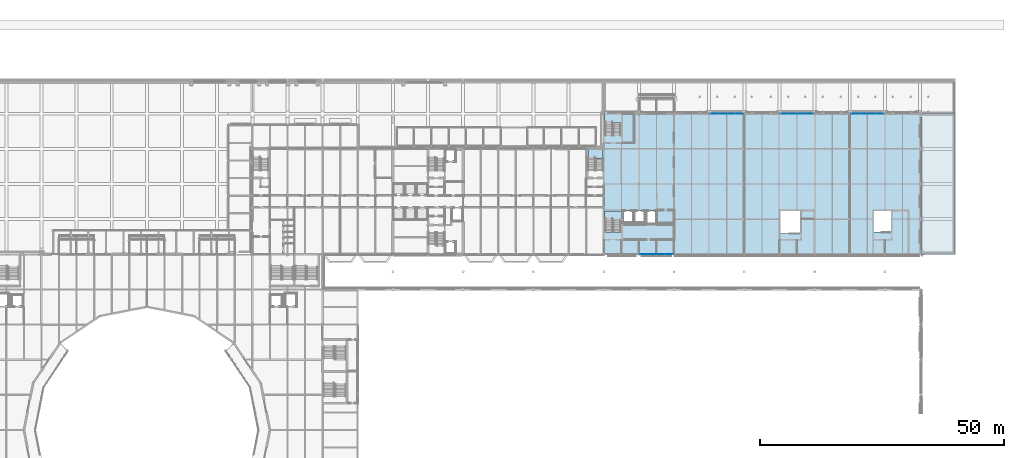
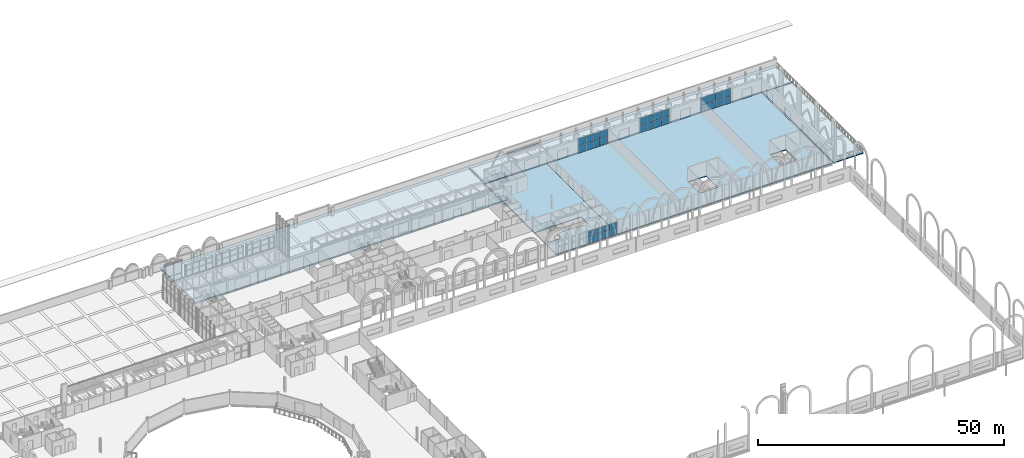
# One storey, part 67 of 143: 32 plates, 8 slabs, 7 elements without a shape of their own.
"""IFC4 building model written with IfcOpenShell, lengths in metres."""

from ifc_helpers import new_model, si_unit, direction, frame, origin, origin_2d, place, context, subcontext, project, spatial, polyline, rectangle, outline, extrude, material, layer, layer_set, type_object, element, aggregate, save


model = new_model("IFC4")

# Units and contexts
model_context = context("Model", 3, precision=1e-05, world=origin(), true_north=direction((0.0, 1.0)))
body_context = subcontext(model_context, "Body", "Model", "MODEL_VIEW")
ifc_project = project(units=[si_unit("LENGTHUNIT", "METRE"), si_unit("AREAUNIT", "SQUARE_METRE"), si_unit("VOLUMEUNIT", "CUBIC_METRE"), si_unit("PLANEANGLEUNIT", "RADIAN"), si_unit("MASSUNIT", "GRAM", prefix="KILO")], contexts=[model_context])

# Site, building, storey
site_placement = place(None, origin())
site = spatial("IfcSite", under=ifc_project, at=site_placement, CompositionType="ELEMENT")
building_placement = place(site_placement, origin())
building = spatial("IfcBuilding", under=site, at=building_placement, Name="Kupolbacken Congress Centre", CompositionType="ELEMENT")
storey_placement = place(building_placement, frame((0.0, 0.0, 7.199951171875)))
storey = spatial("IfcBuildingStorey", under=building, at=storey_placement, Name="L02", CompositionType="ELEMENT", Elevation=7.199951171875)

# Slabs
ifc_material_1 = material(Name="Concrete C30/37", Category="concrete")
ifc_layer_1 = layer(ifc_material_1, 0.22998046875)
ifc_layer_set_1 = layer_set([ifc_layer_1], Name="Concrete C30/37")
slab_type_1 = type_object("IfcSlabType", Name="BS1 slab 230", PredefinedType="BASESLAB", material=ifc_layer_set_1)
slab_1_placement = place(storey_placement, frame((0.0, 0.0, -0.22998046875)))
element("IfcSlab", 1, at=slab_1_placement, inside=storey, type_object=slab_type_1, Name="S/platform/BALLROOM_EAST_TERRACE", PredefinedType="BASESLAB", context=body_context, shape_type="SweptSolid", body=[
    extrude(outline(polyline([(208.799072265625, 122.39990234375), (208.799072265625, 151.199951171875), (201.875, 151.199951171875), (201.875, 122.39990234375), (208.799072265625, 122.39990234375)])), origin(), (0.0, 0.0, 1.0), 0.22998046875),
])
ifc_material_2 = material(Name="Concrete C30/37", Category="concrete")
ifc_layer_2 = layer(ifc_material_2, 0.35009765625)
ifc_layer_set_2 = layer_set([ifc_layer_2], Name="Concrete C30/37")
slab_type_2 = type_object("IfcSlabType", Name="BS4 slab 350", PredefinedType="BASESLAB", material=ifc_layer_set_2)
slab_2_placement = place(storey_placement, frame((0.0, 0.0, -0.349853515625)))
element("IfcSlab", 2, at=slab_2_placement, inside=storey, type_object=slab_type_2, Name="S/platform/ARRIVAL_DECK", PredefinedType="BASESLAB", context=body_context, shape_type="SweptSolid", body=[
    extrude(outline(polyline([(136.800048828125, 158.39892578125), (64.800048828125, 158.39892578125), (64.800048828125, 144.27490234375), (136.52490234375, 144.27490234375), (136.52490234375, 151.47509765625), (136.800048828125, 151.47509765625), (136.800048828125, 158.39892578125)])), origin(), (0.0, 0.0, 1.0), 0.349853515625),
])
slab_3_placement = place(storey_placement, frame((0.0, 0.0, -0.349853515625)))
element("IfcSlab", 3, at=slab_3_placement, inside=storey, type_object=slab_type_2, Name="S/platform/DECK_NORTH", PredefinedType="BASESLAB", context=body_context, shape_type="SweptSolid", body=[
    extrude(outline(polyline([(208.799072265625, 151.199951171875), (208.799072265625, 158.39892578125), (136.800048828125, 158.39892578125), (136.800048828125, 151.47509765625), (201.875, 151.47509765625), (201.875, 151.199951171875), (208.799072265625, 151.199951171875)])), origin(), (0.0, 0.0, 1.0), 0.349853515625),
])
ifc_material_3 = material(Name="Concrete C30/37", Category="concrete")
ifc_layer_3 = layer(ifc_material_3, 0.1201171875)
ifc_material_4 = material(Name="Steel S350 profiled deck", Category="steel")
ifc_layer_4 = layer(ifc_material_4, 0.06005859375)
ifc_layer_set_3 = layer_set([ifc_layer_3, ifc_layer_4], Name="Concrete C30/37 / Steel S350 profiled deck")
slab_type_3 = type_object("IfcSlabType", Name="FS3 slab 180", PredefinedType="FLOOR", material=ifc_layer_set_3)
slab_4_placement = place(storey_placement, frame((0.0, 0.0, -0.179931640625)))
element("IfcSlab", 4, at=slab_4_placement, inside=storey, type_object=slab_type_3, Name="S/floor/BF/L02/slab/slab", PredefinedType="FLOOR", context=body_context, shape_type="SweptSolid", body=[
    extrude(outline(polyline([(151.199462890625, 122.400390625), (151.199462890625, 151.199462890625), (136.800537109375, 151.199462890625), (136.800537109375, 122.400390625), (151.199462890625, 122.400390625)]), holes=[polyline([(140.599609375, 131.275390625), (140.599609375, 131.400390625), (147.800537109375, 131.400390625), (147.800537109375, 128.49951171875), (145.3994140625, 128.49951171875), (145.3994140625, 128.799560546875), (140.6005859375, 128.799560546875), (140.6005859375, 126.95947265625), (136.924560546875, 126.95947265625), (136.924560546875, 131.275390625), (140.599609375, 131.275390625)])]), origin(), (0.0, 0.0, 1.0), 0.179931640625),
])
ifc_layer_5 = layer(ifc_material_3, 0.159912109375)
ifc_layer_6 = layer(ifc_material_4, 0.06005859375)
ifc_layer_set_4 = layer_set([ifc_layer_5, ifc_layer_6], Name="Concrete C30/37 / Steel S350 profiled deck")
slab_type_4 = type_object("IfcSlabType", Name="FS5 slab 220", PredefinedType="FLOOR", material=ifc_layer_set_4)
slab_5_placement = place(storey_placement, frame((0.0, 0.0, -0.219970703125)))
element("IfcSlab", 5, at=slab_5_placement, inside=storey, type_object=slab_type_4, Name="S/floor/B/L02/slab/slab", PredefinedType="FLOOR", context=body_context, shape_type="SweptSolid", body=[
    extrude(outline(polyline([(201.599609375, 122.400390625), (201.599609375, 151.199462890625), (151.200439453125, 151.199462890625), (151.200439453125, 122.400390625), (201.599609375, 122.400390625)]), holes=[polyline([(195.675537109375, 131.275390625), (195.675537109375, 126.95947265625), (192.12451171875, 126.95947265625), (192.12451171875, 131.275390625), (195.675537109375, 131.275390625)]), polyline([(177.075439453125, 131.275390625), (177.075439453125, 126.659423828125), (172.924560546875, 126.659423828125), (172.924560546875, 131.275390625), (177.075439453125, 131.275390625)])]), origin(), (0.0, 0.0, 1.0), 0.219970703125),
])

# Curtain wall, plates
ifc_material_5 = material(Name="Aluminium mullion-transom frame with glass", Category="aluminium")
curtain_wall_type = type_object("IfcCurtainWallType", Name="CW1 curtain wall 7200x3600", PredefinedType="NOTDEFINED", material=ifc_material_5)
curtain_wall_1_placement = place(storey_placement, origin())
curtain_wall_1 = element("IfcCurtainWall", 6, at=curtain_wall_1_placement, inside=storey, type_object=curtain_wall_type, Name="E/B/N/L02/206", PredefinedType="NOTDEFINED")
ifc_material_6 = material(Name="Glass", Category="glass")
ifc_layer_7 = layer(ifc_material_6, 0.035888671875)
ifc_layer_set_5 = layer_set([ifc_layer_7], Name="Glass")
plate_type = type_object("IfcPlateType", Name="GL2 glass panel 36", PredefinedType="CURTAIN_PANEL", material=ifc_layer_set_5)
plate_1_placement = place(storey_placement, frame((193.375, 151.199951171875, 0.050048828125), z_axis=(0.0, 0.0, 1.0), x_axis=(-1.0, 0.0, 0.0)))
plate_1 = element("IfcPlate", 7, at=plate_1_placement, type_object=plate_type, Name="CW1 panel 1.1", PredefinedType="CURTAIN_PANEL", context=body_context, shape_type="SweptSolid", body=[
    extrude(rectangle(XDim=1.64990234375, YDim=0.035888671875, at=origin_2d()), origin(), (0.0, 0.0, 1.0), 1.72509765625),
])
plate_2_placement = place(storey_placement, frame((193.375, 151.199951171875, 1.824951171875), z_axis=(0.0, 0.0, 1.0), x_axis=(-1.0, 0.0, 0.0)))
plate_2 = element("IfcPlate", 8, at=plate_2_placement, type_object=plate_type, Name="CW1 panel 1.2", PredefinedType="CURTAIN_PANEL", context=body_context, shape_type="SweptSolid", body=[
    extrude(rectangle(XDim=1.64990234375, YDim=0.035888671875, at=origin_2d()), origin(), (0.0, 0.0, 1.0), 1.72509765625),
])
plate_3_placement = place(storey_placement, frame((191.66259765625, 151.199951171875, 0.050048828125), z_axis=(0.0, 0.0, 1.0), x_axis=(-1.0, 0.0, 0.0)))
plate_3 = element("IfcPlate", 9, at=plate_3_placement, type_object=plate_type, Name="CW1 panel 2.1", PredefinedType="CURTAIN_PANEL", context=body_context, shape_type="SweptSolid", body=[
    extrude(rectangle(XDim=1.675048828125, YDim=0.035888671875, at=origin_2d()), origin(), (0.0, 0.0, 1.0), 1.72509765625),
])
plate_4_placement = place(storey_placement, frame((191.66259765625, 151.199951171875, 1.824951171875), z_axis=(0.0, 0.0, 1.0), x_axis=(-1.0, 0.0, 0.0)))
plate_4 = element("IfcPlate", 10, at=plate_4_placement, type_object=plate_type, Name="CW1 panel 2.2", PredefinedType="CURTAIN_PANEL", context=body_context, shape_type="SweptSolid", body=[
    extrude(rectangle(XDim=1.675048828125, YDim=0.035888671875, at=origin_2d()), origin(), (0.0, 0.0, 1.0), 1.72509765625),
])
plate_5_placement = place(storey_placement, frame((189.9375, 151.199951171875, 0.050048828125), z_axis=(0.0, 0.0, 1.0), x_axis=(-1.0, 0.0, 0.0)))
plate_5 = element("IfcPlate", 11, at=plate_5_placement, type_object=plate_type, Name="CW1 panel 3.1", PredefinedType="CURTAIN_PANEL", context=body_context, shape_type="SweptSolid", body=[
    extrude(rectangle(XDim=1.675048828125, YDim=0.035888671875, at=origin_2d()), origin(), (0.0, 0.0, 1.0), 1.72509765625),
])
plate_6_placement = place(storey_placement, frame((189.9375, 151.199951171875, 1.824951171875), z_axis=(0.0, 0.0, 1.0), x_axis=(-1.0, 0.0, 0.0)))
plate_6 = element("IfcPlate", 12, at=plate_6_placement, type_object=plate_type, Name="CW1 panel 3.2", PredefinedType="CURTAIN_PANEL", context=body_context, shape_type="SweptSolid", body=[
    extrude(rectangle(XDim=1.675048828125, YDim=0.035888671875, at=origin_2d()), origin(), (0.0, 0.0, 1.0), 1.72509765625),
])
plate_7_placement = place(storey_placement, frame((188.22509765625, 151.199951171875, 0.050048828125), z_axis=(0.0, 0.0, 1.0), x_axis=(-1.0, 0.0, 0.0)))
plate_7 = element("IfcPlate", 13, at=plate_7_placement, type_object=plate_type, Name="CW1 panel 4.1", PredefinedType="CURTAIN_PANEL", context=body_context, shape_type="SweptSolid", body=[
    extrude(rectangle(XDim=1.64990234375, YDim=0.035888671875, at=origin_2d()), origin(), (0.0, 0.0, 1.0), 1.72509765625),
])
plate_8_placement = place(storey_placement, frame((188.22509765625, 151.199951171875, 1.824951171875), z_axis=(0.0, 0.0, 1.0), x_axis=(-1.0, 0.0, 0.0)))
plate_8 = element("IfcPlate", 14, at=plate_8_placement, type_object=plate_type, Name="CW1 panel 4.2", PredefinedType="CURTAIN_PANEL", context=body_context, shape_type="SweptSolid", body=[
    extrude(rectangle(XDim=1.64990234375, YDim=0.035888671875, at=origin_2d()), origin(), (0.0, 0.0, 1.0), 1.72509765625),
])
aggregate(curtain_wall_1, [plate_1, plate_2, plate_3, plate_4, plate_5, plate_6, plate_7, plate_8])

curtain_wall_2_placement = place(storey_placement, origin())
curtain_wall_2 = element("IfcCurtainWall", 15, at=curtain_wall_2_placement, inside=storey, type_object=curtain_wall_type, Name="E/B/N/L02/208", PredefinedType="NOTDEFINED")
plate_9_placement = place(storey_placement, frame((178.97509765625, 151.199951171875, 0.050048828125), z_axis=(0.0, 0.0, 1.0), x_axis=(-1.0, 0.0, 0.0)))
plate_9 = element("IfcPlate", 16, at=plate_9_placement, type_object=plate_type, Name="CW1 panel 1.1", PredefinedType="CURTAIN_PANEL", context=body_context, shape_type="SweptSolid", body=[
    extrude(rectangle(XDim=1.64990234375, YDim=0.035888671875, at=origin_2d()), origin(), (0.0, 0.0, 1.0), 1.72509765625),
])
plate_10_placement = place(storey_placement, frame((178.97509765625, 151.199951171875, 1.824951171875), z_axis=(0.0, 0.0, 1.0), x_axis=(-1.0, 0.0, 0.0)))
plate_10 = element("IfcPlate", 17, at=plate_10_placement, type_object=plate_type, Name="CW1 panel 1.2", PredefinedType="CURTAIN_PANEL", context=body_context, shape_type="SweptSolid", body=[
    extrude(rectangle(XDim=1.64990234375, YDim=0.035888671875, at=origin_2d()), origin(), (0.0, 0.0, 1.0), 1.72509765625),
])
plate_11_placement = place(storey_placement, frame((177.262451171875, 151.199951171875, 0.050048828125), z_axis=(0.0, 0.0, 1.0), x_axis=(-1.0, 0.0, 0.0)))
plate_11 = element("IfcPlate", 18, at=plate_11_placement, type_object=plate_type, Name="CW1 panel 2.1", PredefinedType="CURTAIN_PANEL", context=body_context, shape_type="SweptSolid", body=[
    extrude(rectangle(XDim=1.675048828125, YDim=0.035888671875, at=origin_2d()), origin(), (0.0, 0.0, 1.0), 1.72509765625),
])
plate_12_placement = place(storey_placement, frame((177.262451171875, 151.199951171875, 1.824951171875), z_axis=(0.0, 0.0, 1.0), x_axis=(-1.0, 0.0, 0.0)))
plate_12 = element("IfcPlate", 19, at=plate_12_placement, type_object=plate_type, Name="CW1 panel 2.2", PredefinedType="CURTAIN_PANEL", context=body_context, shape_type="SweptSolid", body=[
    extrude(rectangle(XDim=1.675048828125, YDim=0.035888671875, at=origin_2d()), origin(), (0.0, 0.0, 1.0), 1.72509765625),
])
plate_13_placement = place(storey_placement, frame((175.53759765625, 151.199951171875, 0.050048828125), z_axis=(0.0, 0.0, 1.0), x_axis=(-1.0, 0.0, 0.0)))
plate_13 = element("IfcPlate", 20, at=plate_13_placement, type_object=plate_type, Name="CW1 panel 3.1", PredefinedType="CURTAIN_PANEL", context=body_context, shape_type="SweptSolid", body=[
    extrude(rectangle(XDim=1.675048828125, YDim=0.035888671875, at=origin_2d()), origin(), (0.0, 0.0, 1.0), 1.72509765625),
])
plate_14_placement = place(storey_placement, frame((175.53759765625, 151.199951171875, 1.824951171875), z_axis=(0.0, 0.0, 1.0), x_axis=(-1.0, 0.0, 0.0)))
plate_14 = element("IfcPlate", 21, at=plate_14_placement, type_object=plate_type, Name="CW1 panel 3.2", PredefinedType="CURTAIN_PANEL", context=body_context, shape_type="SweptSolid", body=[
    extrude(rectangle(XDim=1.675048828125, YDim=0.035888671875, at=origin_2d()), origin(), (0.0, 0.0, 1.0), 1.72509765625),
])
plate_15_placement = place(storey_placement, frame((173.824951171875, 151.199951171875, 0.050048828125), z_axis=(0.0, 0.0, 1.0), x_axis=(-1.0, 0.0, 0.0)))
plate_15 = element("IfcPlate", 22, at=plate_15_placement, type_object=plate_type, Name="CW1 panel 4.1", PredefinedType="CURTAIN_PANEL", context=body_context, shape_type="SweptSolid", body=[
    extrude(rectangle(XDim=1.64990234375, YDim=0.035888671875, at=origin_2d()), origin(), (0.0, 0.0, 1.0), 1.72509765625),
])
plate_16_placement = place(storey_placement, frame((173.824951171875, 151.199951171875, 1.824951171875), z_axis=(0.0, 0.0, 1.0), x_axis=(-1.0, 0.0, 0.0)))
plate_16 = element("IfcPlate", 23, at=plate_16_placement, type_object=plate_type, Name="CW1 panel 4.2", PredefinedType="CURTAIN_PANEL", context=body_context, shape_type="SweptSolid", body=[
    extrude(rectangle(XDim=1.64990234375, YDim=0.035888671875, at=origin_2d()), origin(), (0.0, 0.0, 1.0), 1.72509765625),
])
aggregate(curtain_wall_2, [plate_9, plate_10, plate_11, plate_12, plate_13, plate_14, plate_15, plate_16])

curtain_wall_3_placement = place(storey_placement, origin())
curtain_wall_3 = element("IfcCurtainWall", 24, at=curtain_wall_3_placement, inside=storey, type_object=curtain_wall_type, Name="E/B/N/L02/210", PredefinedType="NOTDEFINED")
plate_17_placement = place(storey_placement, frame((164.574951171875, 151.199951171875, 0.050048828125), z_axis=(0.0, 0.0, 1.0), x_axis=(-1.0, 0.0, 0.0)))
plate_17 = element("IfcPlate", 25, at=plate_17_placement, type_object=plate_type, Name="CW1 panel 1.1", PredefinedType="CURTAIN_PANEL", context=body_context, shape_type="SweptSolid", body=[
    extrude(rectangle(XDim=1.64990234375, YDim=0.035888671875, at=origin_2d()), origin(), (0.0, 0.0, 1.0), 1.72509765625),
])
plate_18_placement = place(storey_placement, frame((164.574951171875, 151.199951171875, 1.824951171875), z_axis=(0.0, 0.0, 1.0), x_axis=(-1.0, 0.0, 0.0)))
plate_18 = element("IfcPlate", 26, at=plate_18_placement, type_object=plate_type, Name="CW1 panel 1.2", PredefinedType="CURTAIN_PANEL", context=body_context, shape_type="SweptSolid", body=[
    extrude(rectangle(XDim=1.64990234375, YDim=0.035888671875, at=origin_2d()), origin(), (0.0, 0.0, 1.0), 1.72509765625),
])
plate_19_placement = place(storey_placement, frame((162.862548828125, 151.199951171875, 0.050048828125), z_axis=(0.0, 0.0, 1.0), x_axis=(-1.0, 0.0, 0.0)))
plate_19 = element("IfcPlate", 27, at=plate_19_placement, type_object=plate_type, Name="CW1 panel 2.1", PredefinedType="CURTAIN_PANEL", context=body_context, shape_type="SweptSolid", body=[
    extrude(rectangle(XDim=1.675048828125, YDim=0.035888671875, at=origin_2d()), origin(), (0.0, 0.0, 1.0), 1.72509765625),
])
plate_20_placement = place(storey_placement, frame((162.862548828125, 151.199951171875, 1.824951171875), z_axis=(0.0, 0.0, 1.0), x_axis=(-1.0, 0.0, 0.0)))
plate_20 = element("IfcPlate", 28, at=plate_20_placement, type_object=plate_type, Name="CW1 panel 2.2", PredefinedType="CURTAIN_PANEL", context=body_context, shape_type="SweptSolid", body=[
    extrude(rectangle(XDim=1.675048828125, YDim=0.035888671875, at=origin_2d()), origin(), (0.0, 0.0, 1.0), 1.72509765625),
])
plate_21_placement = place(storey_placement, frame((161.137451171875, 151.199951171875, 0.050048828125), z_axis=(0.0, 0.0, 1.0), x_axis=(-1.0, 0.0, 0.0)))
plate_21 = element("IfcPlate", 29, at=plate_21_placement, type_object=plate_type, Name="CW1 panel 3.1", PredefinedType="CURTAIN_PANEL", context=body_context, shape_type="SweptSolid", body=[
    extrude(rectangle(XDim=1.675048828125, YDim=0.035888671875, at=origin_2d()), origin(), (0.0, 0.0, 1.0), 1.72509765625),
])
plate_22_placement = place(storey_placement, frame((161.137451171875, 151.199951171875, 1.824951171875), z_axis=(0.0, 0.0, 1.0), x_axis=(-1.0, 0.0, 0.0)))
plate_22 = element("IfcPlate", 30, at=plate_22_placement, type_object=plate_type, Name="CW1 panel 3.2", PredefinedType="CURTAIN_PANEL", context=body_context, shape_type="SweptSolid", body=[
    extrude(rectangle(XDim=1.675048828125, YDim=0.035888671875, at=origin_2d()), origin(), (0.0, 0.0, 1.0), 1.72509765625),
])
plate_23_placement = place(storey_placement, frame((159.425048828125, 151.199951171875, 0.050048828125), z_axis=(0.0, 0.0, 1.0), x_axis=(-1.0, 0.0, 0.0)))
plate_23 = element("IfcPlate", 31, at=plate_23_placement, type_object=plate_type, Name="CW1 panel 4.1", PredefinedType="CURTAIN_PANEL", context=body_context, shape_type="SweptSolid", body=[
    extrude(rectangle(XDim=1.64990234375, YDim=0.035888671875, at=origin_2d()), origin(), (0.0, 0.0, 1.0), 1.72509765625),
])
plate_24_placement = place(storey_placement, frame((159.425048828125, 151.199951171875, 1.824951171875), z_axis=(0.0, 0.0, 1.0), x_axis=(-1.0, 0.0, 0.0)))
plate_24 = element("IfcPlate", 32, at=plate_24_placement, type_object=plate_type, Name="CW1 panel 4.2", PredefinedType="CURTAIN_PANEL", context=body_context, shape_type="SweptSolid", body=[
    extrude(rectangle(XDim=1.64990234375, YDim=0.035888671875, at=origin_2d()), origin(), (0.0, 0.0, 1.0), 1.72509765625),
])
aggregate(curtain_wall_3, [plate_17, plate_18, plate_19, plate_20, plate_21, plate_22, plate_23, plate_24])

curtain_wall_4_placement = place(storey_placement, origin())
curtain_wall_4 = element("IfcCurtainWall", 33, at=curtain_wall_4_placement, inside=storey, type_object=curtain_wall_type, Name="E/BF/S/L02/224", PredefinedType="NOTDEFINED")
plate_25_placement = place(storey_placement, frame((145.02490234375, 122.39990234375, 0.050048828125), z_axis=(0.0, 0.0, 1.0), x_axis=(1.0, 0.0, 0.0)))
plate_25 = element("IfcPlate", 34, at=plate_25_placement, type_object=plate_type, Name="CW1 panel 1.1", PredefinedType="CURTAIN_PANEL", context=body_context, shape_type="SweptSolid", body=[
    extrude(rectangle(XDim=1.64990234375, YDim=0.035888671875, at=origin_2d()), origin(), (0.0, 0.0, 1.0), 1.72509765625),
])
plate_26_placement = place(storey_placement, frame((145.02490234375, 122.39990234375, 1.824951171875), z_axis=(0.0, 0.0, 1.0), x_axis=(1.0, 0.0, 0.0)))
plate_26 = element("IfcPlate", 35, at=plate_26_placement, type_object=plate_type, Name="CW1 panel 1.2", PredefinedType="CURTAIN_PANEL", context=body_context, shape_type="SweptSolid", body=[
    extrude(rectangle(XDim=1.64990234375, YDim=0.035888671875, at=origin_2d()), origin(), (0.0, 0.0, 1.0), 1.2451171875),
])
plate_27_placement = place(storey_placement, frame((146.737548828125, 122.39990234375, 0.050048828125), z_axis=(0.0, 0.0, 1.0), x_axis=(1.0, 0.0, 0.0)))
plate_27 = element("IfcPlate", 36, at=plate_27_placement, type_object=plate_type, Name="CW1 panel 2.1", PredefinedType="CURTAIN_PANEL", context=body_context, shape_type="SweptSolid", body=[
    extrude(rectangle(XDim=1.675048828125, YDim=0.035888671875, at=origin_2d()), origin(), (0.0, 0.0, 1.0), 1.72509765625),
])
plate_28_placement = place(storey_placement, frame((146.737548828125, 122.39990234375, 1.824951171875), z_axis=(0.0, 0.0, 1.0), x_axis=(1.0, 0.0, 0.0)))
plate_28 = element("IfcPlate", 37, at=plate_28_placement, type_object=plate_type, Name="CW1 panel 2.2", PredefinedType="CURTAIN_PANEL", context=body_context, shape_type="SweptSolid", body=[
    extrude(rectangle(XDim=1.675048828125, YDim=0.035888671875, at=origin_2d()), origin(), (0.0, 0.0, 1.0), 1.2451171875),
])
plate_29_placement = place(storey_placement, frame((148.46240234375, 122.39990234375, 0.050048828125), z_axis=(0.0, 0.0, 1.0), x_axis=(1.0, 0.0, 0.0)))
plate_29 = element("IfcPlate", 38, at=plate_29_placement, type_object=plate_type, Name="CW1 panel 3.1", PredefinedType="CURTAIN_PANEL", context=body_context, shape_type="SweptSolid", body=[
    extrude(rectangle(XDim=1.675048828125, YDim=0.035888671875, at=origin_2d()), origin(), (0.0, 0.0, 1.0), 1.72509765625),
])
plate_30_placement = place(storey_placement, frame((148.46240234375, 122.39990234375, 1.824951171875), z_axis=(0.0, 0.0, 1.0), x_axis=(1.0, 0.0, 0.0)))
plate_30 = element("IfcPlate", 39, at=plate_30_placement, type_object=plate_type, Name="CW1 panel 3.2", PredefinedType="CURTAIN_PANEL", context=body_context, shape_type="SweptSolid", body=[
    extrude(rectangle(XDim=1.675048828125, YDim=0.035888671875, at=origin_2d()), origin(), (0.0, 0.0, 1.0), 1.2451171875),
])
plate_31_placement = place(storey_placement, frame((150.175048828125, 122.39990234375, 0.050048828125), z_axis=(0.0, 0.0, 1.0), x_axis=(1.0, 0.0, 0.0)))
plate_31 = element("IfcPlate", 40, at=plate_31_placement, type_object=plate_type, Name="CW1 panel 4.1", PredefinedType="CURTAIN_PANEL", context=body_context, shape_type="SweptSolid", body=[
    extrude(rectangle(XDim=1.64990234375, YDim=0.035888671875, at=origin_2d()), origin(), (0.0, 0.0, 1.0), 1.72509765625),
])
plate_32_placement = place(storey_placement, frame((150.175048828125, 122.39990234375, 1.824951171875), z_axis=(0.0, 0.0, 1.0), x_axis=(1.0, 0.0, 0.0)))
plate_32 = element("IfcPlate", 41, at=plate_32_placement, type_object=plate_type, Name="CW1 panel 4.2", PredefinedType="CURTAIN_PANEL", context=body_context, shape_type="SweptSolid", body=[
    extrude(rectangle(XDim=1.64990234375, YDim=0.035888671875, at=origin_2d()), origin(), (0.0, 0.0, 1.0), 1.2451171875),
])
aggregate(curtain_wall_4, [plate_25, plate_26, plate_27, plate_28, plate_29, plate_30, plate_31, plate_32])

# Stair, slab
ifc_material_7 = material(Name="Steel S355", Category="steel")
stair_type = type_object("IfcStairType", Name="ST2 stair 1500", PredefinedType="TWO_STRAIGHT_RUN_STAIR", material=ifc_material_7)
stair_1_placement = place(storey_placement, origin())
stair_1 = element("IfcStair", 42, at=stair_1_placement, inside=storey, type_object=stair_type, Name="C/stair/TS4/L02", PredefinedType="NOTDEFINED")
ifc_material_8 = material(Name="Concrete C30/37 precast", Category="concrete")
ifc_layer_8 = layer(ifc_material_8, 0.175048828125)
ifc_layer_set_6 = layer_set([ifc_layer_8], Name="Concrete C30/37 precast")
slab_type_5 = type_object("IfcSlabType", Name="SL1 slab 175", PredefinedType="LANDING", material=ifc_layer_set_6)
slab_6_placement = place(storey_placement, frame((0.0, 0.0, 1.539306640625)))
slab_6 = element("IfcSlab", 43, at=slab_6_placement, type_object=slab_type_5, Name="TS4 landing 1", PredefinedType="LANDING", context=body_context, shape_type="SweptSolid", body=[
    extrude(outline(polyline([(133.530029296875, 142.044921875), (136.669921875, 142.044921875), (136.669921875, 143.8701171875), (133.530029296875, 143.8701171875), (133.530029296875, 142.044921875)])), origin(), (0.0, 0.0, 1.0), 0.175048828125),
])
aggregate(stair_1, [slab_6])

stair_2_placement = place(storey_placement, origin())
stair_2 = element("IfcStair", 44, at=stair_2_placement, inside=storey, type_object=stair_type, Name="C/stair/BS1/L02", PredefinedType="NOTDEFINED")
slab_7_placement = place(storey_placement, frame((0.0, 0.0, 1.539306640625)))
slab_7 = element("IfcSlab", 45, at=slab_7_placement, type_object=slab_type_5, Name="BS1 landing 1", PredefinedType="LANDING", context=body_context, shape_type="SweptSolid", body=[
    extrude(outline(polyline([(136.905029296875, 129.469970703125), (140.6201171875, 129.469970703125), (140.6201171875, 131.294921875), (136.905029296875, 131.294921875), (136.905029296875, 129.469970703125)])), origin(), (0.0, 0.0, 1.0), 0.175048828125),
])
aggregate(stair_2, [slab_7])

stair_3_placement = place(storey_placement, origin())
stair_3 = element("IfcStair", 46, at=stair_3_placement, inside=storey, type_object=stair_type, Name="C/stair/BS2/L02", PredefinedType="NOTDEFINED")
slab_8_placement = place(storey_placement, frame((0.0, 0.0, 1.539306640625)))
slab_8 = element("IfcSlab", 47, at=slab_8_placement, type_object=slab_type_5, Name="BS2 landing 1", PredefinedType="LANDING", context=body_context, shape_type="SweptSolid", body=[
    extrude(outline(polyline([(136.905029296875, 149.27001953125), (140.4951171875, 149.27001953125), (140.4951171875, 151.094970703125), (136.905029296875, 151.094970703125), (136.905029296875, 149.27001953125)])), origin(), (0.0, 0.0, 1.0), 0.175048828125),
])
aggregate(stair_3, [slab_8])

save(model, "model.ifc")
